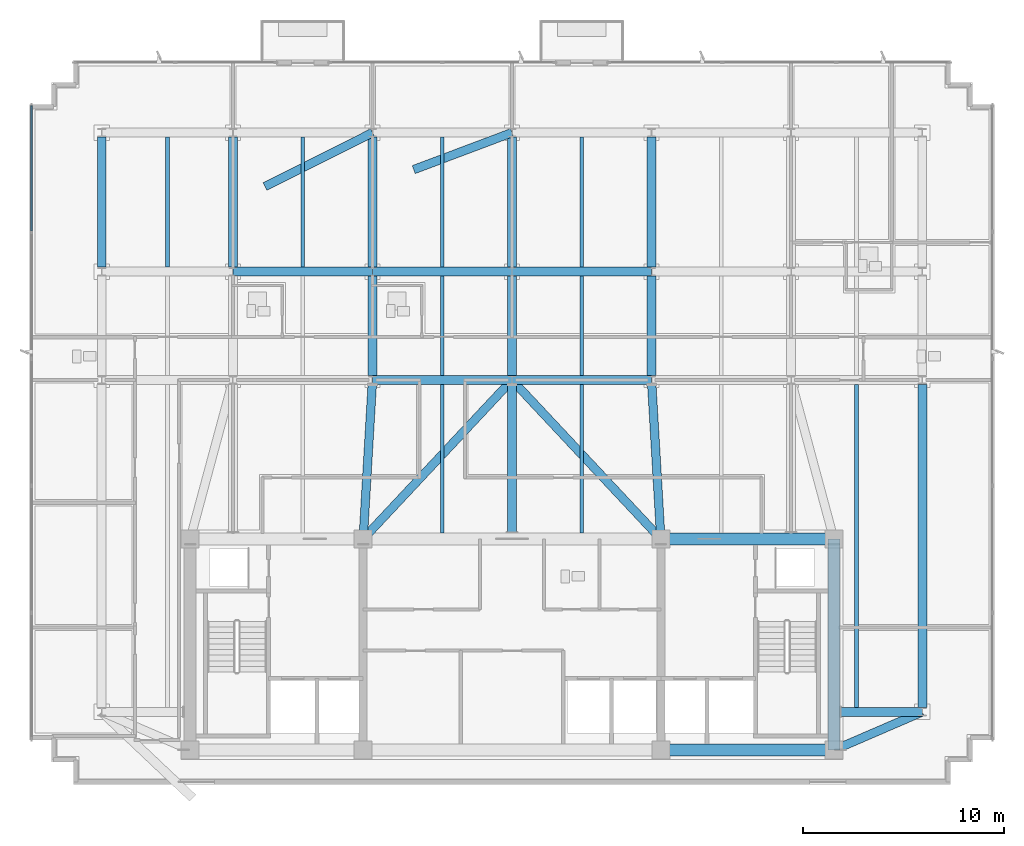
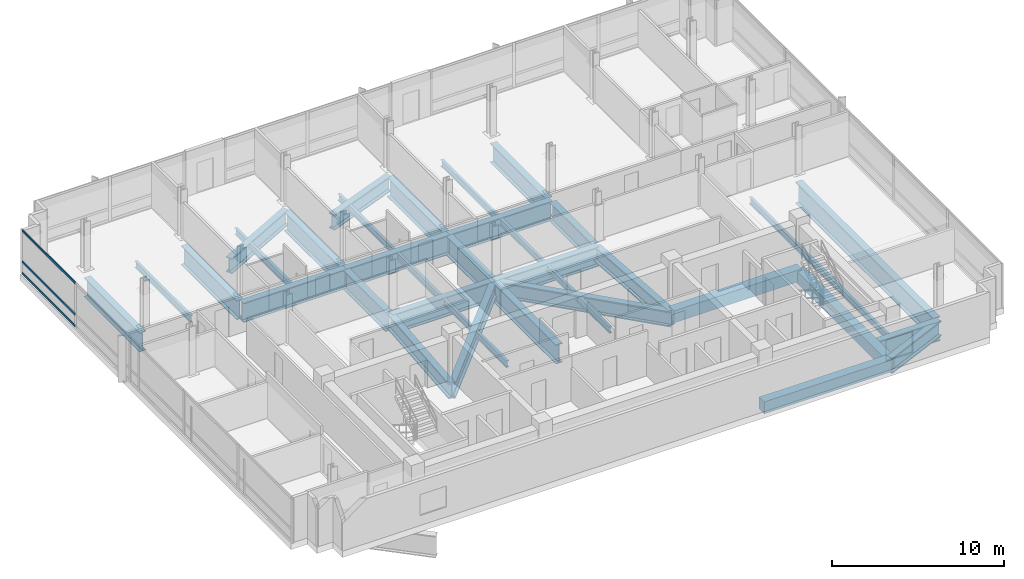
# One storey, part 3 of 16: 35 beams, 3 members, 1 element without a shape of its own.
"""IFC4 building model written with IfcOpenShell, lengths in metres."""

import ifcopenshell
import ifcopenshell.guid

model = None  # the IFC model being written
_history = None  # IfcOwnerHistory: only IFC2X3 demands one
_inside = {}  # id of a spatial element -> (the spatial element, [elements in it])
_under = {}  # id of a project, library or spatial element -> (it, [spatial elements below it])
_declared = {}  # id of a project -> (the project, [libraries it declares])
_typed = {}  # id of a type object -> (the type object, [elements of that type])
_made_of = {}  # id of a material, layer set ... -> (it, [elements and type objects made of it])


def new_model(schema):
    """Start an empty IFC model of exactly this schema.

    Asked for "IFC4X3", IfcOpenShell would pick the latest addendum, in which some entities
    have other attributes; the version numbers below select the first issue.
    IFC2X3 requires an IfcOwnerHistory on every rooted entity: one is made here for all.
    """
    global model, _history
    if schema == "IFC4X3":
        model = ifcopenshell.file(schema_version=(4, 3, 0, 0))
    else:
        model = ifcopenshell.file(schema=schema)
    _inside.clear()
    _under.clear()
    _declared.clear()
    _typed.clear()
    _made_of.clear()
    _history = None
    if model.schema == "IFC2X3":
        org = make("IfcOrganization", Name="unknown")
        user = make(
            "IfcPersonAndOrganization",
            ThePerson=make("IfcPerson", FamilyName="unknown"),
            TheOrganization=org,
        )
        app = make(
            "IfcApplication",
            ApplicationDeveloper=org,
            Version="unknown",
            ApplicationFullName="unknown",
            ApplicationIdentifier="unknown",
        )
        _history = make(
            "IfcOwnerHistory",
            OwningUser=user,
            OwningApplication=app,
            ChangeAction="ADDED",
            CreationDate=0,
        )
    return model


def make(cls, **values):
    """One entity of the class cls with the attributes given. An attribute that is None is left unset."""
    return model.create_entity(
        cls, **{name: value for name, value in values.items() if value is not None}
    )


def rooted(cls, **values):
    """An entity with a GlobalId (a new one), such as an element, a storey or a relation."""
    return make(cls, GlobalId=ifcopenshell.guid.new(), OwnerHistory=_history, **values)


def si_unit(unit_type, name, prefix=None):
    """IfcSIUnit, for example si_unit("LENGTHUNIT", "METRE", prefix="MILLI")."""
    return make("IfcSIUnit", UnitType=unit_type, Prefix=prefix, Name=name)


def assignment(units):
    """IfcUnitAssignment: the units of a project."""
    return None if units is None else make("IfcUnitAssignment", Units=units)


def point(xyz):
    """IfcCartesianPoint."""
    return None if xyz is None else make("IfcCartesianPoint", Coordinates=xyz)


def direction(xyz):
    """IfcDirection."""
    return None if xyz is None else make("IfcDirection", DirectionRatios=xyz)


def frame(location, z_axis=None, x_axis=None):
    """IfcAxis2Placement3D, a coordinate frame: its origin and axes. An axis left out is left unset."""
    return make(
        "IfcAxis2Placement3D",
        Location=point(location),
        Axis=direction(z_axis),
        RefDirection=direction(x_axis),
    )


def frame_2d(location, x_axis=None):
    """IfcAxis2Placement2D, a coordinate frame in the plane: its origin and x axis."""
    return make(
        "IfcAxis2Placement2D", Location=point(location), RefDirection=direction(x_axis)
    )


def origin():
    """The frame at (0, 0, 0) with its axes left unset."""
    return frame((0.0, 0.0, 0.0))


def origin_2d():
    """The frame at (0, 0) in the plane with its x axis left unset."""
    return frame_2d((0.0, 0.0))


def place(relative_to, where):
    """IfcLocalPlacement: puts the frame where relative to a parent placement (None: the world)."""
    return make(
        "IfcLocalPlacement", PlacementRelTo=relative_to, RelativePlacement=where
    )


def context(
    kind, dimensions, precision=None, world=None, true_north=None, identifier=None
):
    """IfcGeometricRepresentationContext, for example the 3D "Model" context."""
    return make(
        "IfcGeometricRepresentationContext",
        ContextIdentifier=identifier,
        ContextType=kind,
        CoordinateSpaceDimension=dimensions,
        Precision=precision,
        WorldCoordinateSystem=world,
        TrueNorth=true_north,
    )


def subcontext(parent, identifier, kind, view, scale=None):
    """IfcGeometricRepresentationSubContext, for example "Body" below "Model"."""
    return make(
        "IfcGeometricRepresentationSubContext",
        ContextIdentifier=identifier,
        ContextType=kind,
        ParentContext=parent,
        TargetScale=scale,
        TargetView=view,
    )


def project(units=None, contexts=None):
    """IfcProject with its units and contexts."""
    return rooted(
        "IfcProject",
        Name="project",
        RepresentationContexts=contexts,
        UnitsInContext=assignment(units),
    )


def spatial(cls, under=None, at=None, **own):
    """A site, building, storey or space (cls), placed at a placement, below another one or the project."""
    s = rooted(cls, ObjectPlacement=at, **own)
    if under is not None:
        _under.setdefault(under.id(), (under, []))[1].append(s)
    return s


def profile(cls, at=None, kind="AREA", **sizes):
    """A parametric profile (cls). Its sizes go by their IFC names, for example OverallWidth=200.0."""
    return make(cls, ProfileType=kind, Position=at, **sizes)


def rectangle(**sizes):
    """IfcRectangleProfileDef."""
    return profile("IfcRectangleProfileDef", **sizes)


def i_section(**sizes):
    """IfcIShapeProfileDef."""
    return profile("IfcIShapeProfileDef", **sizes)


def extrude(swept, where, along, depth):
    """IfcExtrudedAreaSolid: the profile swept, set in the frame where, extruded along a direction by depth."""
    return make(
        "IfcExtrudedAreaSolid",
        SweptArea=swept,
        Position=where,
        ExtrudedDirection=direction(along),
        Depth=depth,
    )


def shape(context_of_items, identifier, shape_type, items):
    """IfcShapeRepresentation: the items that make up one representation, for example the "Body"."""
    return make(
        "IfcShapeRepresentation",
        ContextOfItems=context_of_items,
        RepresentationIdentifier=identifier,
        RepresentationType=shape_type,
        Items=items,
    )


def material(Name=None, Category=None):
    """IfcMaterial."""
    return make("IfcMaterial", Name=Name, Category=Category)


def material_profile(
    of_material, cross_section, Name=None, Category=None, Priority=None
):
    """IfcMaterialProfile: a cross section and its material."""
    return make(
        "IfcMaterialProfile",
        Name=Name,
        Material=of_material,
        Profile=cross_section,
        Priority=Priority,
        Category=Category,
    )


def profile_set(profiles, Name=None, composite=None):
    """IfcMaterialProfileSet."""
    return make(
        "IfcMaterialProfileSet",
        Name=Name,
        MaterialProfiles=profiles,
        CompositeProfile=composite,
    )


def made_of(thing, what):
    """Note that an element or type object is made of a material, layer set ...; save() writes the relation."""
    if what is not None:
        _made_of.setdefault(what.id(), (what, []))[1].append(thing)
    return thing


def type_object(cls, material=None, **own):
    """A type object (cls), such as IfcWallType, which elements share."""
    return made_of(rooted(cls, **own), material)


def element(
    cls,
    number,
    at=None,
    inside=None,
    cuts=None,
    type_object=None,
    material=None,
    context=None,
    identifier="Body",
    shape_type=None,
    held_by="IfcProductDefinitionShape",
    body=None,
    shapes=None,
    **own,
):
    """One element of the class cls, such as IfcWall. Its Tag is "e" and its number.

    at: its placement. inside: the storey or other place that contains it. cuts: it is an
    opening in that element (IfcRelVoidsElement). A single representation is given by context,
    identifier, shape_type and body (its items); several are given by shapes. held_by: the class
    of the entity that holds the representations. save() writes the other relations.
    """
    e = rooted(cls, Tag="e%d" % number, ObjectPlacement=at, **own)
    if body is not None:
        shapes = [shape(context, identifier, shape_type, body)]
    if shapes is not None:
        e.Representation = make(held_by, Representations=shapes)
    if inside is not None:
        _inside.setdefault(inside.id(), (inside, []))[1].append(e)
    if cuts is not None:
        rooted(
            "IfcRelVoidsElement", RelatingBuildingElement=cuts, RelatedOpeningElement=e
        )
    if type_object is not None:
        _typed.setdefault(type_object.id(), (type_object, []))[1].append(e)
    return made_of(e, material)


def aggregate(whole, parts):
    """IfcRelAggregates: a whole, such as a stair, and the parts it consists of."""
    return rooted("IfcRelAggregates", RelatingObject=whole, RelatedObjects=parts)


def save(model, path):
    """Write the relations noted so far, then the file.

    IfcRelAggregates (storeys below a building ...), IfcRelContainedInSpatialStructure (elements
    in a storey), IfcRelDefinesByType, IfcRelAssociatesMaterial and IfcRelDeclares: one each for
    every whole, place, type object, material and project.
    """
    for whole, parts in _under.values():
        aggregate(whole, parts)
    for where, things in _inside.values():
        rooted(
            "IfcRelContainedInSpatialStructure",
            RelatedElements=things,
            RelatingStructure=where,
        )
    for kind, things in _typed.values():
        rooted("IfcRelDefinesByType", RelatedObjects=things, RelatingType=kind)
    for what, things in _made_of.values():
        rooted("IfcRelAssociatesMaterial", RelatedObjects=things, RelatingMaterial=what)
    for by, libraries in _declared.values():
        rooted("IfcRelDeclares", RelatingContext=by, RelatedDefinitions=libraries)
    model.write(path)


model = new_model("IFC4")

# Units and contexts
model_context = context("Model", 3, precision=1e-05, world=origin(), true_north=direction((0.0, 1.0)))
body_context = subcontext(model_context, "Body", "Model", "MODEL_VIEW")
ifc_project = project(units=[si_unit("LENGTHUNIT", "METRE"), si_unit("AREAUNIT", "SQUARE_METRE"), si_unit("VOLUMEUNIT", "CUBIC_METRE"), si_unit("PLANEANGLEUNIT", "RADIAN"), si_unit("MASSUNIT", "GRAM", prefix="KILO")], contexts=[model_context])

# Site, building, storey
site_placement = place(None, origin())
site = spatial("IfcSite", under=ifc_project, at=site_placement, CompositionType="ELEMENT")
building_placement = place(site_placement, origin())
building = spatial("IfcBuilding", under=site, at=building_placement, Name="Solmavex Isthmus Hotel", CompositionType="ELEMENT")
storey_placement = place(building_placement, frame((0.0, 0.0, 245.39990234375)))
storey = spatial("IfcBuildingStorey", under=building, at=storey_placement, Name="L66", CompositionType="ELEMENT", Elevation=245.39990234375)

# Beams
ifc_material_1 = material(Name="Steel ASTM A992 Grade 50", Category="steel")
ifc_material_profile_1 = material_profile(ifc_material_1, i_section(OverallWidth=0.1904296875, OverallDepth=0.456787109375, WebThickness=0.009033203125, FlangeThickness=0.014404296875, FilletRadius=0.0126953125, at=origin_2d()), Name="W18X50")
ifc_profile_set_1 = profile_set([ifc_material_profile_1], Name="Steel ASTM A992 Grade 50")
beam_type_1 = type_object("IfcBeamType", Name="BM-BJ-W18X50", PredefinedType="JOIST", material=ifc_profile_set_1)
for number, where, z_axis, x_axis, name in (
    (1, (-17.135986328125, 11.008056640625, -0.678466796875), (0.0, 1.0, 0.0), (-1.0, 0.0, 0.0), "Secondary Floor Joist L66-J03"),
    (2, (-10.404052734375, 11.008056640625, -0.678466796875), (0.0, 1.0, 0.0), (-1.0, 0.0, 0.0), "Secondary Floor Joist L66-J06"),
):
    element("IfcBeam", number, at=place(storey_placement, frame(where, z_axis=z_axis, x_axis=x_axis)), inside=storey, type_object=beam_type_1, Name=name, PredefinedType="JOIST", context=body_context, shape_type="SweptSolid", body=[
        extrude(i_section(OverallWidth=0.1904296875, OverallDepth=0.456787109375, WebThickness=0.009033203125, FlangeThickness=0.014404296875, FilletRadius=0.0126953125, at=origin_2d()), origin(), (0.0, 0.0, 1.0), 6.471923828125),
    ])
beam_1_placement = place(storey_placement, frame((-3.468017578125, -2.199951171875, -0.678466796875), z_axis=(0.0, 1.0, 0.0), x_axis=(-1.0, 0.0, 0.0)))
element("IfcBeam", 3, at=beam_1_placement, inside=storey, type_object=beam_type_1, Name="Secondary Floor Joist L66-J07", PredefinedType="JOIST", context=body_context, shape_type="SweptSolid", body=[
    extrude(i_section(OverallWidth=0.1904296875, OverallDepth=0.456787109375, WebThickness=0.009033203125, FlangeThickness=0.014404296875, FilletRadius=0.0126953125, at=origin_2d()), origin(), (0.0, 0.0, 1.0), 7.3798828125),
])
beam_2_placement = place(storey_placement, frame((-3.468017578125, 5.6201171875, -0.678466796875), z_axis=(0.0, 1.0, 0.0), x_axis=(-1.0, 0.0, 0.0)))
element("IfcBeam", 4, at=beam_2_placement, inside=storey, type_object=beam_type_1, Name="Secondary Floor Joist L66-J08", PredefinedType="JOIST", context=body_context, shape_type="SweptSolid", body=[
    extrude(i_section(OverallWidth=0.1904296875, OverallDepth=0.456787109375, WebThickness=0.009033203125, FlangeThickness=0.014404296875, FilletRadius=0.0126953125, at=origin_2d()), origin(), (0.0, 0.0, 1.0), 4.947998046875),
])
beam_3_placement = place(storey_placement, frame((-3.468017578125, 11.008056640625, -0.678466796875), z_axis=(0.0, 1.0, 0.0), x_axis=(-1.0, 0.0, 0.0)))
element("IfcBeam", 5, at=beam_3_placement, inside=storey, type_object=beam_type_1, Name="Secondary Floor Joist L66-J09", PredefinedType="JOIST", context=body_context, shape_type="SweptSolid", body=[
    extrude(i_section(OverallWidth=0.1904296875, OverallDepth=0.456787109375, WebThickness=0.009033203125, FlangeThickness=0.014404296875, FilletRadius=0.0126953125, at=origin_2d()), origin(), (0.0, 0.0, 1.0), 6.471923828125),
])
beam_4_placement = place(storey_placement, frame((3.468017578125, -2.199951171875, -0.678466796875), z_axis=(0.0, 1.0, 0.0), x_axis=(-1.0, 0.0, 0.0)))
element("IfcBeam", 6, at=beam_4_placement, inside=storey, type_object=beam_type_1, Name="Secondary Floor Joist L66-J10", PredefinedType="JOIST", context=body_context, shape_type="SweptSolid", body=[
    extrude(i_section(OverallWidth=0.1904296875, OverallDepth=0.456787109375, WebThickness=0.009033203125, FlangeThickness=0.014404296875, FilletRadius=0.0126953125, at=origin_2d()), origin(), (0.0, 0.0, 1.0), 7.3798828125),
])
beam_5_placement = place(storey_placement, frame((3.468017578125, 5.6201171875, -0.678466796875), z_axis=(0.0, 1.0, 0.0), x_axis=(-1.0, 0.0, 0.0)))
element("IfcBeam", 7, at=beam_5_placement, inside=storey, type_object=beam_type_1, Name="Secondary Floor Joist L66-J11", PredefinedType="JOIST", context=body_context, shape_type="SweptSolid", body=[
    extrude(i_section(OverallWidth=0.1904296875, OverallDepth=0.456787109375, WebThickness=0.009033203125, FlangeThickness=0.014404296875, FilletRadius=0.0126953125, at=origin_2d()), origin(), (0.0, 0.0, 1.0), 4.947998046875),
])
beam_6_placement = place(storey_placement, frame((3.468017578125, 11.008056640625, -0.678466796875), z_axis=(0.0, 1.0, 0.0), x_axis=(-1.0, 0.0, 0.0)))
element("IfcBeam", 8, at=beam_6_placement, inside=storey, type_object=beam_type_1, Name="Secondary Floor Joist L66-J12", PredefinedType="JOIST", context=body_context, shape_type="SweptSolid", body=[
    extrude(i_section(OverallWidth=0.1904296875, OverallDepth=0.456787109375, WebThickness=0.009033203125, FlangeThickness=0.014404296875, FilletRadius=0.0126953125, at=origin_2d()), origin(), (0.0, 0.0, 1.0), 6.471923828125),
])
beam_7_placement = place(storey_placement, frame((17.135986328125, -10.8798828125, -0.678466796875), z_axis=(0.0, 1.0, 0.0), x_axis=(-1.0, 0.0, 0.0)))
element("IfcBeam", 9, at=beam_7_placement, inside=storey, type_object=beam_type_1, Name="Secondary Floor Joist L66-J16", PredefinedType="JOIST", context=body_context, shape_type="SweptSolid", body=[
    extrude(i_section(OverallWidth=0.1904296875, OverallDepth=0.456787109375, WebThickness=0.009033203125, FlangeThickness=0.014404296875, FilletRadius=0.0126953125, at=origin_2d()), origin(), (0.0, 0.0, 1.0), 16.059814453125),
])
ifc_material_2 = material(Name="Concrete C50/60", Category="concrete")
ifc_material_profile_2 = material_profile(ifc_material_2, rectangle(XDim=0.60009765625, YDim=0.85009765625, at=origin_2d()), Name="RC600X850")
ifc_profile_set_2 = profile_set([ifc_material_profile_2], Name="Concrete C50/60")
beam_type_2 = type_object("IfcBeamType", Name="BM-CB-600X850", PredefinedType="BEAM", material=ifc_profile_set_2)
for number, where, z_axis, x_axis, name in (
    (10, (7.39990234375, -13.0, -0.875), (1.0, 0.0, 0.0), (0.0, 1.0, 0.0), "Core Coupling Beam L66-CB3"),
    (11, (7.39990234375, -2.5, -0.764892578125), (1.0, 0.0, 0.0), (0.0, 1.0, 0.0), "Core Coupling Beam L66-CB6"),
):
    element("IfcBeam", number, at=place(storey_placement, frame(where, z_axis=z_axis, x_axis=x_axis)), inside=storey, type_object=beam_type_2, Name=name, PredefinedType="BEAM", context=body_context, shape_type="SweptSolid", body=[
        extrude(rectangle(XDim=0.60009765625, YDim=0.85009765625, at=origin_2d()), origin(), (0.0, 0.0, 1.0), 8.60009765625),
    ])
beam_8_placement = place(storey_placement, frame((16.0, -13.0, -0.875), z_axis=(0.0, 1.0, 0.0), x_axis=(-1.0, 0.0, 0.0)))
element("IfcBeam", 12, at=beam_8_placement, inside=storey, type_object=beam_type_2, Name="Core Coupling Beam L66-CB8", PredefinedType="BEAM", context=body_context, shape_type="SweptSolid", body=[
    extrude(rectangle(XDim=0.60009765625, YDim=0.85009765625, at=origin_2d()), origin(), (0.0, 0.0, 1.0), 10.5),
])
ifc_material_3 = material(Name="Steel ASTM A572 Grade 50", Category="steel")
ifc_material_profile_3 = material_profile(ifc_material_3, i_section(OverallWidth=0.449951171875, OverallDepth=1.550048828125, WebThickness=0.031982421875, FlangeThickness=0.06494140625, FilletRadius=0.030517578125, at=origin_2d()), Name="I1550X450")
ifc_profile_set_3 = profile_set([ifc_material_profile_3], Name="Steel ASTM A572 Grade 50")
beam_type_3 = type_object("IfcBeamType", Name="BM-TB-G1550", PredefinedType="BEAM", material=ifc_profile_set_3)
beam_9_placement = place(storey_placement, frame((20.39990234375, -10.8798828125, -1.224853515625), z_axis=(0.0, 1.0, 0.0), x_axis=(-1.0, 0.0, 0.0)))
element("IfcBeam", 13, at=beam_9_placement, inside=storey, type_object=beam_type_3, Name="Outrigger Collector Beam L66-VG37", PredefinedType="BEAM", context=body_context, shape_type="SweptSolid", body=[
    extrude(i_section(OverallWidth=0.449951171875, OverallDepth=1.550048828125, WebThickness=0.031982421875, FlangeThickness=0.06494140625, FilletRadius=0.030517578125, at=origin_2d()), origin(), (0.0, 0.0, 1.0), 16.059814453125),
])
ifc_material_4 = material(Name="Steel ASTM A913 Grade 65", Category="steel")
ifc_material_profile_4 = material_profile(ifc_material_4, i_section(OverallWidth=0.42431640625, OverallDepth=1.09228515625, WebThickness=0.04541015625, FlangeThickness=0.08203125, FilletRadius=0.030517578125, at=origin_2d()), Name="W40X593")
ifc_profile_set_4 = profile_set([ifc_material_profile_4], Name="Steel ASTM A913 Grade 65")
beam_type_4 = type_object("IfcBeamType", Name="BM-TB-W40X397", PredefinedType="BEAM", material=ifc_profile_set_4)
for number, where, z_axis, x_axis, name in (
    (14, (-7.39990234375, -2.5, -0.99609375), (0.683633461138, 0.729825520801, 0.0), (-0.729825520801, 0.683633461138, 0.0), "Core Outrigger Strut L65-OTCW"),
    (15, (7.39990234375, -2.5, -0.99609375), (-0.683633461138, 0.729825520801, 0.0), (-0.729825520801, -0.683633461138, 0.0), "Core Outrigger Strut L65-OTCE"),
):
    element("IfcBeam", number, at=place(storey_placement, frame(where, z_axis=z_axis, x_axis=x_axis)), inside=storey, type_object=beam_type_4, Name=name, PredefinedType="BEAM", context=body_context, shape_type="SweptSolid", body=[
        extrude(i_section(OverallWidth=0.42431640625, OverallDepth=1.09228515625, WebThickness=0.04541015625, FlangeThickness=0.08203125, FilletRadius=0.030517578125, at=origin_2d()), origin(), (0.0, 0.0, 1.0), 10.824462890625),
    ])
beam_10_placement = place(storey_placement, frame((16.0, -13.0, -0.99609375), z_axis=(0.918066567186, 0.396426258231, 0.0), x_axis=(-0.396426258231, 0.918066567186, 0.0)))
element("IfcBeam", 16, at=beam_10_placement, inside=storey, type_object=beam_type_4, Name="Core Outrigger Strut L65-OTSE", PredefinedType="BEAM", context=body_context, shape_type="SweptSolid", body=[
    extrude(i_section(OverallWidth=0.42431640625, OverallDepth=1.09228515625, WebThickness=0.04541015625, FlangeThickness=0.08203125, FilletRadius=0.030517578125, at=origin_2d()), origin(), (0.0, 0.0, 1.0), 4.79248046875),
])
beam_11_placement = place(storey_placement, frame((-12.282958984375, 15.018310546875, -0.99609375), z_axis=(0.893879607095, 0.448307091198, 0.0), x_axis=(-0.448307091198, 0.893879607095, 0.0)))
element("IfcBeam", 17, at=beam_11_placement, inside=storey, type_object=beam_type_4, Name="Core Outrigger Strut L65-OTN1", PredefinedType="BEAM", context=body_context, shape_type="SweptSolid", body=[
    extrude(i_section(OverallWidth=0.42431640625, OverallDepth=1.09228515625, WebThickness=0.04541015625, FlangeThickness=0.08203125, FilletRadius=0.030517578125, at=origin_2d()), origin(), (0.0, 0.0, 1.0), 5.981689453125),
])
beam_12_placement = place(storey_placement, frame((-4.884765625, 15.861328125, -0.99609375), z_axis=(0.935897876295, 0.352271436744, 0.0), x_axis=(-0.352271436744, 0.935897876295, 0.0)))
element("IfcBeam", 18, at=beam_12_placement, inside=storey, type_object=beam_type_4, Name="Core Outrigger Strut L65-OTN2", PredefinedType="BEAM", context=body_context, shape_type="SweptSolid", body=[
    extrude(i_section(OverallWidth=0.42431640625, OverallDepth=1.09228515625, WebThickness=0.04541015625, FlangeThickness=0.08203125, FilletRadius=0.030517578125, at=origin_2d()), origin(), (0.0, 0.0, 1.0), 5.21923828125),
])
ifc_material_profile_5 = material_profile(ifc_material_3, i_section(OverallWidth=0.43994140625, OverallDepth=1.3798828125, WebThickness=0.030029296875, FlangeThickness=0.054931640625, FilletRadius=0.030517578125, at=origin_2d()), Name="I1380X440")
ifc_profile_set_5 = profile_set([ifc_material_profile_5], Name="Steel ASTM A572 Grade 50")
beam_type_5 = type_object("IfcBeamType", Name="BM-TG-I1380", PredefinedType="BEAM", material=ifc_profile_set_5)
beam_13_placement = place(storey_placement, frame((16.300048828125, -11.10009765625, -1.139892578125), z_axis=(1.0, 0.0, 0.0), x_axis=(0.0, 1.0, 0.0)))
element("IfcBeam", 19, at=beam_13_placement, inside=storey, type_object=beam_type_5, Name="Outrigger Collector Girder L66-UG02", PredefinedType="BEAM", context=body_context, shape_type="SweptSolid", body=[
    extrude(i_section(OverallWidth=0.43994140625, OverallDepth=1.3798828125, WebThickness=0.030029296875, FlangeThickness=0.054931640625, FilletRadius=0.030517578125, at=origin_2d()), origin(), (0.0, 0.0, 1.0), 4.099853515625),
])
for number, where, z_axis, x_axis, name in (
    (20, (-6.93603515625, 5.39990234375, -1.139892578125), (1.0, 0.0, 0.0), (0.0, 1.0, 0.0), "Outrigger Collector Girder L66-UG05"),
    (21, (0.0, 5.39990234375, -1.139892578125), (1.0, 0.0, 0.0), (0.0, 1.0, 0.0), "Outrigger Collector Girder L66-UG06"),
    (22, (-13.8720703125, 10.7880859375, -1.139892578125), (1.0, 0.0, 0.0), (0.0, 1.0, 0.0), "Outrigger Collector Girder L66-UG10"),
    (23, (-6.93603515625, 10.7880859375, -1.139892578125), (1.0, 0.0, 0.0), (0.0, 1.0, 0.0), "Outrigger Collector Girder L66-UG11"),
    (24, (0.0, 10.7880859375, -1.139892578125), (1.0, 0.0, 0.0), (0.0, 1.0, 0.0), "Outrigger Collector Girder L66-UG12"),
):
    element("IfcBeam", number, at=place(storey_placement, frame(where, z_axis=z_axis, x_axis=x_axis)), inside=storey, type_object=beam_type_5, Name=name, PredefinedType="BEAM", context=body_context, shape_type="SweptSolid", body=[
        extrude(i_section(OverallWidth=0.43994140625, OverallDepth=1.3798828125, WebThickness=0.030029296875, FlangeThickness=0.054931640625, FilletRadius=0.030517578125, at=origin_2d()), origin(), (0.0, 0.0, 1.0), 6.93603515625),
    ])
for number, where, z_axis, x_axis, name in (
    (25, (-20.39990234375, 11.008056640625, -1.139892578125), (0.0, 1.0, 0.0), (-1.0, 0.0, 0.0), "Outrigger Collector Beam L66-VG23"),
    (26, (-13.8720703125, 11.008056640625, -1.139892578125), (0.0, 1.0, 0.0), (-1.0, 0.0, 0.0), "Outrigger Collector Beam L66-VG26"),
):
    element("IfcBeam", number, at=place(storey_placement, frame(where, z_axis=z_axis, x_axis=x_axis)), inside=storey, type_object=beam_type_5, Name=name, PredefinedType="BEAM", context=body_context, shape_type="SweptSolid", body=[
        extrude(i_section(OverallWidth=0.43994140625, OverallDepth=1.3798828125, WebThickness=0.030029296875, FlangeThickness=0.054931640625, FilletRadius=0.030517578125, at=origin_2d()), origin(), (0.0, 0.0, 1.0), 6.471923828125),
    ])
beam_14_placement = place(storey_placement, frame((-6.93603515625, 5.6201171875, -1.139892578125), z_axis=(0.0, 1.0, 0.0), x_axis=(-1.0, 0.0, 0.0)))
element("IfcBeam", 27, at=beam_14_placement, inside=storey, type_object=beam_type_5, Name="Outrigger Collector Beam L66-VG27", PredefinedType="BEAM", context=body_context, shape_type="SweptSolid", body=[
    extrude(i_section(OverallWidth=0.43994140625, OverallDepth=1.3798828125, WebThickness=0.030029296875, FlangeThickness=0.054931640625, FilletRadius=0.030517578125, at=origin_2d()), origin(), (0.0, 0.0, 1.0), 4.947998046875),
])
beam_15_placement = place(storey_placement, frame((-6.93603515625, 11.008056640625, -1.139892578125), z_axis=(0.0, 1.0, 0.0), x_axis=(-1.0, 0.0, 0.0)))
element("IfcBeam", 28, at=beam_15_placement, inside=storey, type_object=beam_type_5, Name="Outrigger Collector Beam L66-VG28", PredefinedType="BEAM", context=body_context, shape_type="SweptSolid", body=[
    extrude(i_section(OverallWidth=0.43994140625, OverallDepth=1.3798828125, WebThickness=0.030029296875, FlangeThickness=0.054931640625, FilletRadius=0.030517578125, at=origin_2d()), origin(), (0.0, 0.0, 1.0), 6.471923828125),
])
beam_16_placement = place(storey_placement, frame((0.0, -2.199951171875, -1.139892578125), z_axis=(0.0, 1.0, 0.0), x_axis=(-1.0, 0.0, 0.0)))
element("IfcBeam", 29, at=beam_16_placement, inside=storey, type_object=beam_type_5, Name="Outrigger Collector Beam L66-VG29", PredefinedType="BEAM", context=body_context, shape_type="SweptSolid", body=[
    extrude(i_section(OverallWidth=0.43994140625, OverallDepth=1.3798828125, WebThickness=0.030029296875, FlangeThickness=0.054931640625, FilletRadius=0.030517578125, at=origin_2d()), origin(), (0.0, 0.0, 1.0), 7.3798828125),
])
beam_17_placement = place(storey_placement, frame((0.0, 5.6201171875, -1.139892578125), z_axis=(0.0, 1.0, 0.0), x_axis=(-1.0, 0.0, 0.0)))
element("IfcBeam", 30, at=beam_17_placement, inside=storey, type_object=beam_type_5, Name="Outrigger Collector Beam L66-VG30", PredefinedType="BEAM", context=body_context, shape_type="SweptSolid", body=[
    extrude(i_section(OverallWidth=0.43994140625, OverallDepth=1.3798828125, WebThickness=0.030029296875, FlangeThickness=0.054931640625, FilletRadius=0.030517578125, at=origin_2d()), origin(), (0.0, 0.0, 1.0), 4.947998046875),
])
beam_18_placement = place(storey_placement, frame((0.0, 11.008056640625, -1.139892578125), z_axis=(0.0, 1.0, 0.0), x_axis=(-1.0, 0.0, 0.0)))
element("IfcBeam", 31, at=beam_18_placement, inside=storey, type_object=beam_type_5, Name="Outrigger Collector Beam L66-VG31", PredefinedType="BEAM", context=body_context, shape_type="SweptSolid", body=[
    extrude(i_section(OverallWidth=0.43994140625, OverallDepth=1.3798828125, WebThickness=0.030029296875, FlangeThickness=0.054931640625, FilletRadius=0.030517578125, at=origin_2d()), origin(), (0.0, 0.0, 1.0), 6.471923828125),
])
beam_19_placement = place(storey_placement, frame((6.93603515625, 5.6201171875, -1.139892578125), z_axis=(0.0, 1.0, 0.0), x_axis=(-1.0, 0.0, 0.0)))
element("IfcBeam", 32, at=beam_19_placement, inside=storey, type_object=beam_type_5, Name="Outrigger Collector Beam L66-VG32", PredefinedType="BEAM", context=body_context, shape_type="SweptSolid", body=[
    extrude(i_section(OverallWidth=0.43994140625, OverallDepth=1.3798828125, WebThickness=0.030029296875, FlangeThickness=0.054931640625, FilletRadius=0.030517578125, at=origin_2d()), origin(), (0.0, 0.0, 1.0), 4.947998046875),
])
beam_20_placement = place(storey_placement, frame((6.93603515625, 11.008056640625, -1.139892578125), z_axis=(0.0, 1.0, 0.0), x_axis=(-1.0, 0.0, 0.0)))
element("IfcBeam", 33, at=beam_20_placement, inside=storey, type_object=beam_type_5, Name="Outrigger Collector Beam L66-VG33", PredefinedType="BEAM", context=body_context, shape_type="SweptSolid", body=[
    extrude(i_section(OverallWidth=0.43994140625, OverallDepth=1.3798828125, WebThickness=0.030029296875, FlangeThickness=0.054931640625, FilletRadius=0.030517578125, at=origin_2d()), origin(), (0.0, 0.0, 1.0), 6.471923828125),
])
ifc_material_profile_6 = material_profile(ifc_material_4, i_section(OverallWidth=0.42431640625, OverallDepth=1.09228515625, WebThickness=0.04541015625, FlangeThickness=0.08203125, FilletRadius=0.030517578125, at=origin_2d()), Name="W40X593")
ifc_profile_set_6 = profile_set([ifc_material_profile_6], Name="Steel ASTM A913 Grade 65")
beam_type_6 = type_object("IfcBeamType", Name="BM-TG-W40X593", PredefinedType="BEAM", material=ifc_profile_set_6)
for number, where, z_axis, x_axis, name in (
    (34, (-7.39990234375, -2.5, -0.99609375), (0.05861712782, 0.998280537888, 0.0), (-0.998280537888, 0.05861712782, 0.0), "Core Outrigger Strut L65-OTW"),
    (35, (7.39990234375, -2.5, -0.99609375), (-0.05861712782, 0.998280537888, 0.0), (-0.998280537888, -0.05861712782, 0.0), "Core Outrigger Strut L65-OTE"),
):
    element("IfcBeam", number, at=place(storey_placement, frame(where, z_axis=z_axis, x_axis=x_axis)), inside=storey, type_object=beam_type_6, Name=name, PredefinedType="BEAM", context=body_context, shape_type="SweptSolid", body=[
        extrude(i_section(OverallWidth=0.42431640625, OverallDepth=1.09228515625, WebThickness=0.04541015625, FlangeThickness=0.08203125, FilletRadius=0.030517578125, at=origin_2d()), origin(), (0.0, 0.0, 1.0), 7.91357421875),
    ])

# Curtain wall, members
ifc_material_5 = material(Name="Aluminium alloy 6063-T6", Category="aluminium")
curtain_wall_type = type_object("IfcCurtainWallType", Name="CW-SYS-04", PredefinedType="NOTDEFINED", material=ifc_material_5)
curtain_wall_placement = place(storey_placement, origin())
curtain_wall = element("IfcCurtainWall", 36, at=curtain_wall_placement, inside=storey, type_object=curtain_wall_type, Name="Stick Curtain Wall CWL-L66-W1", PredefinedType="NOTDEFINED")
ifc_material_profile_7 = material_profile(ifc_material_5, rectangle(XDim=0.074951171875, YDim=0.14990234375, at=origin_2d()), Name="CWT-75X150")
ifc_profile_set_7 = profile_set([ifc_material_profile_7], Name="Aluminium alloy 6063-T6")
member_type = type_object("IfcMemberType", Name="CW-SYS-04-TRN", PredefinedType="USERDEFINED", material=ifc_profile_set_7)
member_1_placement = place(storey_placement, frame((-23.8798828125, 12.8173828125, 0.0751953125), z_axis=(0.0, 1.0, 0.0), x_axis=(-1.0, 0.0, 0.0)))
member_1 = element("IfcMember", 37, at=member_1_placement, type_object=member_type, Name="CW-04 transom 5.1", ObjectType="TRANSOM", PredefinedType="USERDEFINED", context=body_context, shape_type="SweptSolid", body=[
    extrude(rectangle(XDim=0.074951171875, YDim=0.14990234375, at=origin_2d()), origin(), (0.0, 0.0, 1.0), 6.20751953125),
])
member_2_placement = place(storey_placement, frame((-23.8798828125, 12.8173828125, 0.900146484375), z_axis=(0.0, 1.0, 0.0), x_axis=(-1.0, 0.0, 0.0)))
member_2 = element("IfcMember", 38, at=member_2_placement, type_object=member_type, Name="CW-04 transom 5.2", ObjectType="TRANSOM", PredefinedType="USERDEFINED", context=body_context, shape_type="SweptSolid", body=[
    extrude(rectangle(XDim=0.074951171875, YDim=0.14990234375, at=origin_2d()), origin(), (0.0, 0.0, 1.0), 6.20751953125),
])
member_3_placement = place(storey_placement, frame((-23.8798828125, 12.8173828125, 3.114990234375), z_axis=(0.0, 1.0, 0.0), x_axis=(-1.0, 0.0, 0.0)))
member_3 = element("IfcMember", 39, at=member_3_placement, type_object=member_type, Name="CW-04 transom 5.3", ObjectType="TRANSOM", PredefinedType="USERDEFINED", context=body_context, shape_type="SweptSolid", body=[
    extrude(rectangle(XDim=0.074951171875, YDim=0.14990234375, at=origin_2d()), origin(), (0.0, 0.0, 1.0), 6.20751953125),
])
aggregate(curtain_wall, [member_1, member_2, member_3])

save(model, "model.ifc")
